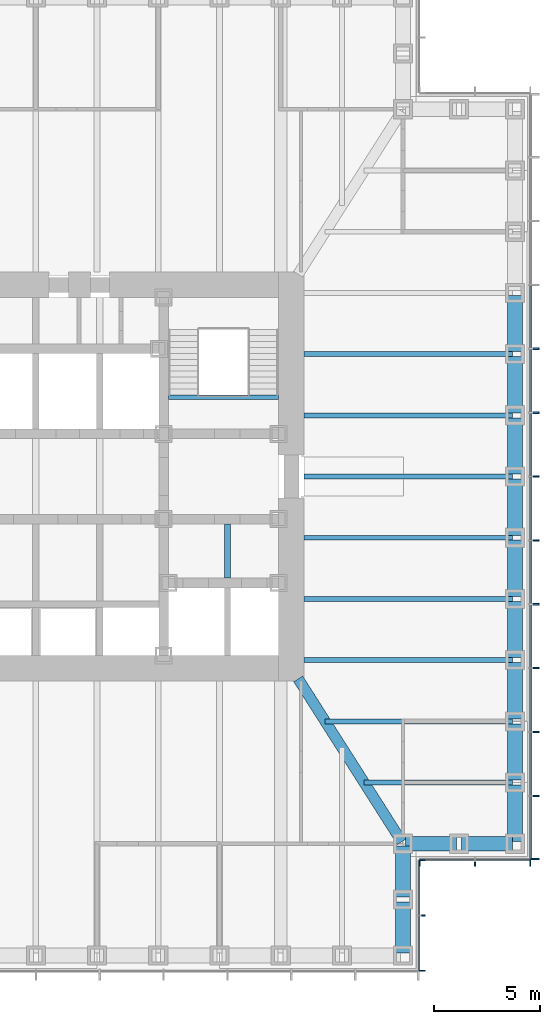
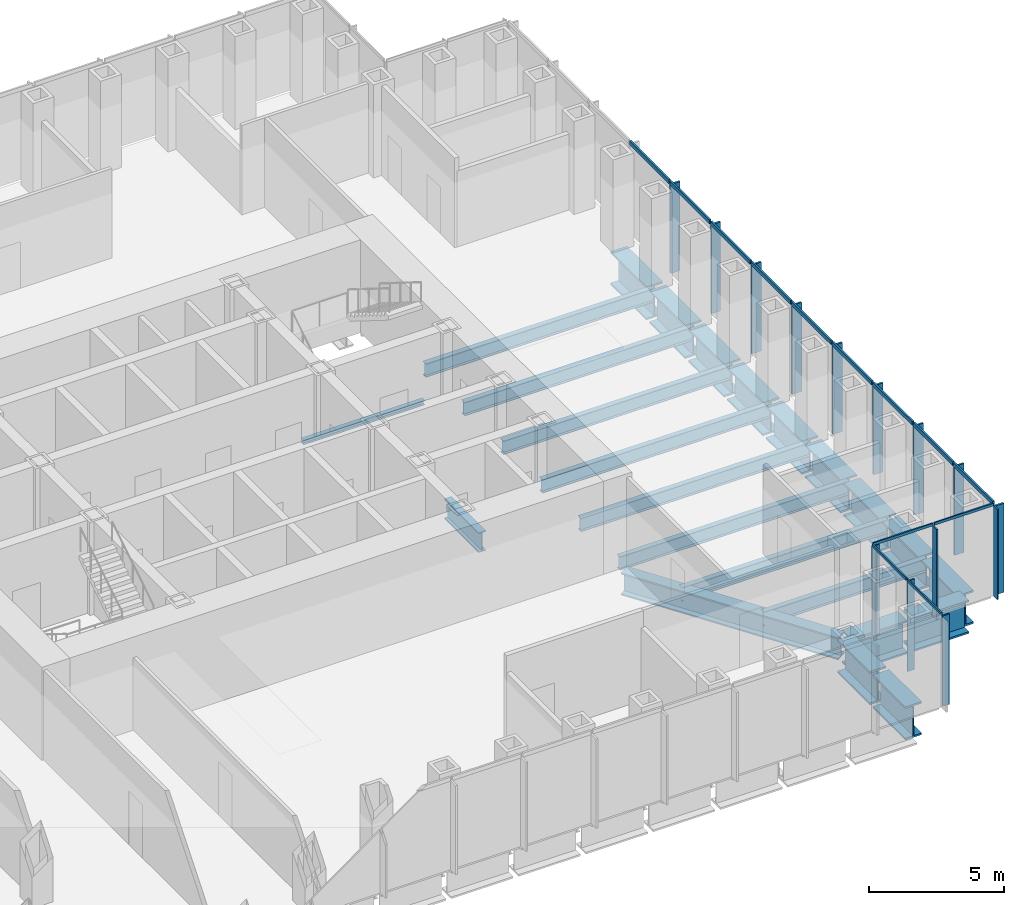
# One storey, part 4 of 17: 28 members, 24 beams, 3 elements without a shape of their own.
"""IFC4 building model written with IfcOpenShell, lengths in metres."""

from ifc_helpers import new_model, si_unit, direction, frame, origin, origin_2d, place, context, subcontext, project, spatial, rectangle, i_section, extrude, material, material_profile, profile_set, type_object, element, aggregate, save


model = new_model("IFC4")

# Units and contexts
model_context = context("Model", 3, precision=1e-05, world=origin(), true_north=direction((0.0, 1.0)))
body_context = subcontext(model_context, "Body", "Model", "MODEL_VIEW")
ifc_project = project(units=[si_unit("LENGTHUNIT", "METRE"), si_unit("AREAUNIT", "SQUARE_METRE"), si_unit("VOLUMEUNIT", "CUBIC_METRE"), si_unit("PLANEANGLEUNIT", "RADIAN"), si_unit("MASSUNIT", "GRAM", prefix="KILO")], contexts=[model_context])

# Site, building, storey
site_placement = place(None, origin())
site = spatial("IfcSite", under=ifc_project, at=site_placement, CompositionType="ELEMENT")
building_placement = place(site_placement, origin())
building = spatial("IfcBuilding", under=site, at=building_placement, Name="Daluyong Arena Tower", CompositionType="ELEMENT")
storey_placement = place(building_placement, frame((0.0, 0.0, 129.10009765625)))
storey = spatial("IfcBuildingStorey", under=building, at=storey_placement, Name="L28", CompositionType="ELEMENT", Elevation=129.10009765625)

# Curtain wall, members
ifc_material_1 = material(Name="Bronze anodised aluminium and glass", Category="aluminium")
curtain_wall_type_1 = type_object("IfcCurtainWallType", Name="Curtain wall CW2", PredefinedType="USERDEFINED", material=ifc_material_1)
curtain_wall_1_placement = place(storey_placement, origin())
curtain_wall_1 = element("IfcCurtainWall", 1, at=curtain_wall_1_placement, inside=storey, type_object=curtain_wall_type_1, Name="curtain wall L28 E", ObjectType="UNITISED CURTAIN WALL", PredefinedType="USERDEFINED")
ifc_material_2 = material(Name="Bronze anodised aluminium fin", Category="aluminium")
ifc_material_profile_1 = material_profile(ifc_material_2, rectangle(XDim=0.39990234375, YDim=0.080078125, at=origin_2d()))
ifc_profile_set_1 = profile_set([ifc_material_profile_1], Name="Bronze anodised aluminium fin")
member_type_1 = type_object("IfcMemberType", Name="CW2 bronze fin 400x80", PredefinedType="MULLION", material=ifc_profile_set_1)
member_1_placement = place(storey_placement, frame((79.449951171875, 62.0400390625, 0.0), z_axis=(0.0, 0.0, 1.0), x_axis=(-1.0, 0.0, 0.0)))
member_1 = element("IfcMember", 2, at=member_1_placement, type_object=member_type_1, Name="curtain wall L28 E fin 1", PredefinedType="MULLION", context=body_context, shape_type="SweptSolid", body=[
    extrude(rectangle(XDim=0.39990234375, YDim=0.080078125, at=origin_2d()), origin(), (0.0, 0.0, 1.0), 4.02001953125),
])
member_2_placement = place(storey_placement, frame((79.449951171875, 65.0, 0.0), z_axis=(0.0, 0.0, 1.0), x_axis=(-1.0, 0.0, 0.0)))
member_2 = element("IfcMember", 3, at=member_2_placement, type_object=member_type_1, Name="curtain wall L28 E fin 2", PredefinedType="MULLION", context=body_context, shape_type="SweptSolid", body=[
    extrude(rectangle(XDim=0.39990234375, YDim=0.080078125, at=origin_2d()), origin(), (0.0, 0.0, 1.0), 4.02001953125),
])
member_3_placement = place(storey_placement, frame((79.449951171875, 68.0, 0.0), z_axis=(0.0, 0.0, 1.0), x_axis=(-1.0, 0.0, 0.0)))
member_3 = element("IfcMember", 4, at=member_3_placement, type_object=member_type_1, Name="curtain wall L28 E fin 3", PredefinedType="MULLION", context=body_context, shape_type="SweptSolid", body=[
    extrude(rectangle(XDim=0.39990234375, YDim=0.080078125, at=origin_2d()), origin(), (0.0, 0.0, 1.0), 4.02001953125),
])
member_4_placement = place(storey_placement, frame((79.449951171875, 71.0, 0.0), z_axis=(0.0, 0.0, 1.0), x_axis=(-1.0, 0.0, 0.0)))
member_4 = element("IfcMember", 5, at=member_4_placement, type_object=member_type_1, Name="curtain wall L28 E fin 4", PredefinedType="MULLION", context=body_context, shape_type="SweptSolid", body=[
    extrude(rectangle(XDim=0.39990234375, YDim=0.080078125, at=origin_2d()), origin(), (0.0, 0.0, 1.0), 4.02001953125),
])
member_5_placement = place(storey_placement, frame((79.449951171875, 74.0, 0.0), z_axis=(0.0, 0.0, 1.0), x_axis=(-1.0, 0.0, 0.0)))
member_5 = element("IfcMember", 6, at=member_5_placement, type_object=member_type_1, Name="curtain wall L28 E fin 5", PredefinedType="MULLION", context=body_context, shape_type="SweptSolid", body=[
    extrude(rectangle(XDim=0.39990234375, YDim=0.080078125, at=origin_2d()), origin(), (0.0, 0.0, 1.0), 4.02001953125),
])
member_6_placement = place(storey_placement, frame((79.449951171875, 77.0, 0.0), z_axis=(0.0, 0.0, 1.0), x_axis=(-1.0, 0.0, 0.0)))
member_6 = element("IfcMember", 7, at=member_6_placement, type_object=member_type_1, Name="curtain wall L28 E fin 6", PredefinedType="MULLION", context=body_context, shape_type="SweptSolid", body=[
    extrude(rectangle(XDim=0.39990234375, YDim=0.080078125, at=origin_2d()), origin(), (0.0, 0.0, 1.0), 4.02001953125),
])
member_7_placement = place(storey_placement, frame((79.449951171875, 80.0, 0.0), z_axis=(0.0, 0.0, 1.0), x_axis=(-1.0, 0.0, 0.0)))
member_7 = element("IfcMember", 8, at=member_7_placement, type_object=member_type_1, Name="curtain wall L28 E fin 7", PredefinedType="MULLION", context=body_context, shape_type="SweptSolid", body=[
    extrude(rectangle(XDim=0.39990234375, YDim=0.080078125, at=origin_2d()), origin(), (0.0, 0.0, 1.0), 4.02001953125),
])
member_8_placement = place(storey_placement, frame((79.449951171875, 83.0, 0.0), z_axis=(0.0, 0.0, 1.0), x_axis=(-1.0, 0.0, 0.0)))
member_8 = element("IfcMember", 9, at=member_8_placement, type_object=member_type_1, Name="curtain wall L28 E fin 8", PredefinedType="MULLION", context=body_context, shape_type="SweptSolid", body=[
    extrude(rectangle(XDim=0.39990234375, YDim=0.080078125, at=origin_2d()), origin(), (0.0, 0.0, 1.0), 4.02001953125),
])
member_9_placement = place(storey_placement, frame((79.449951171875, 86.0, 0.0), z_axis=(0.0, 0.0, 1.0), x_axis=(-1.0, 0.0, 0.0)))
member_9 = element("IfcMember", 10, at=member_9_placement, type_object=member_type_1, Name="curtain wall L28 E fin 9", PredefinedType="MULLION", context=body_context, shape_type="SweptSolid", body=[
    extrude(rectangle(XDim=0.39990234375, YDim=0.080078125, at=origin_2d()), origin(), (0.0, 0.0, 1.0), 4.02001953125),
])
ifc_material_3 = material(Name="Bronze anodised aluminium", Category="aluminium")
ifc_material_profile_2 = material_profile(ifc_material_3, rectangle(XDim=0.080078125, YDim=0.179931640625, at=origin_2d()))
ifc_profile_set_2 = profile_set([ifc_material_profile_2], Name="Bronze anodised aluminium")
member_type_2 = type_object("IfcMemberType", Name="CW2 stack transom 180x80", PredefinedType="USERDEFINED", material=ifc_profile_set_2)
member_10_placement = place(storey_placement, frame((79.25, 62.080078125, 4.10986328125), z_axis=(0.0, 1.0, 0.0), x_axis=(-1.0, 0.0, 0.0)))
member_10 = element("IfcMember", 11, at=member_10_placement, type_object=member_type_2, Name="curtain wall L28 E transom 1", ObjectType="TRANSOM", PredefinedType="USERDEFINED", context=body_context, shape_type="SweptSolid", body=[
    extrude(rectangle(XDim=0.080078125, YDim=0.179931640625, at=origin_2d()), origin(), (0.0, 0.0, 1.0), 2.8798828125),
])
member_11_placement = place(storey_placement, frame((79.25, 65.0400390625, 4.10986328125), z_axis=(0.0, 1.0, 0.0), x_axis=(-1.0, 0.0, 0.0)))
member_11 = element("IfcMember", 12, at=member_11_placement, type_object=member_type_2, Name="curtain wall L28 E transom 2", ObjectType="TRANSOM", PredefinedType="USERDEFINED", context=body_context, shape_type="SweptSolid", body=[
    extrude(rectangle(XDim=0.080078125, YDim=0.179931640625, at=origin_2d()), origin(), (0.0, 0.0, 1.0), 2.919921875),
])
member_12_placement = place(storey_placement, frame((79.25, 68.0400390625, 4.10986328125), z_axis=(0.0, 1.0, 0.0), x_axis=(-1.0, 0.0, 0.0)))
member_12 = element("IfcMember", 13, at=member_12_placement, type_object=member_type_2, Name="curtain wall L28 E transom 3", ObjectType="TRANSOM", PredefinedType="USERDEFINED", context=body_context, shape_type="SweptSolid", body=[
    extrude(rectangle(XDim=0.080078125, YDim=0.179931640625, at=origin_2d()), origin(), (0.0, 0.0, 1.0), 2.919921875),
])
member_13_placement = place(storey_placement, frame((79.25, 71.0400390625, 4.10986328125), z_axis=(0.0, 1.0, 0.0), x_axis=(-1.0, 0.0, 0.0)))
member_13 = element("IfcMember", 14, at=member_13_placement, type_object=member_type_2, Name="curtain wall L28 E transom 4", ObjectType="TRANSOM", PredefinedType="USERDEFINED", context=body_context, shape_type="SweptSolid", body=[
    extrude(rectangle(XDim=0.080078125, YDim=0.179931640625, at=origin_2d()), origin(), (0.0, 0.0, 1.0), 2.919921875),
])
member_14_placement = place(storey_placement, frame((79.25, 74.0400390625, 4.10986328125), z_axis=(0.0, 1.0, 0.0), x_axis=(-1.0, 0.0, 0.0)))
member_14 = element("IfcMember", 15, at=member_14_placement, type_object=member_type_2, Name="curtain wall L28 E transom 5", ObjectType="TRANSOM", PredefinedType="USERDEFINED", context=body_context, shape_type="SweptSolid", body=[
    extrude(rectangle(XDim=0.080078125, YDim=0.179931640625, at=origin_2d()), origin(), (0.0, 0.0, 1.0), 2.919921875),
])
member_15_placement = place(storey_placement, frame((79.25, 77.0400390625, 4.10986328125), z_axis=(0.0, 1.0, 0.0), x_axis=(-1.0, 0.0, 0.0)))
member_15 = element("IfcMember", 16, at=member_15_placement, type_object=member_type_2, Name="curtain wall L28 E transom 6", ObjectType="TRANSOM", PredefinedType="USERDEFINED", context=body_context, shape_type="SweptSolid", body=[
    extrude(rectangle(XDim=0.080078125, YDim=0.179931640625, at=origin_2d()), origin(), (0.0, 0.0, 1.0), 2.919921875),
])
member_16_placement = place(storey_placement, frame((79.25, 80.0400390625, 4.10986328125), z_axis=(0.0, 1.0, 0.0), x_axis=(-1.0, 0.0, 0.0)))
member_16 = element("IfcMember", 17, at=member_16_placement, type_object=member_type_2, Name="curtain wall L28 E transom 7", ObjectType="TRANSOM", PredefinedType="USERDEFINED", context=body_context, shape_type="SweptSolid", body=[
    extrude(rectangle(XDim=0.080078125, YDim=0.179931640625, at=origin_2d()), origin(), (0.0, 0.0, 1.0), 2.919921875),
])
member_17_placement = place(storey_placement, frame((79.25, 83.0400390625, 4.10986328125), z_axis=(0.0, 1.0, 0.0), x_axis=(-1.0, 0.0, 0.0)))
member_17 = element("IfcMember", 18, at=member_17_placement, type_object=member_type_2, Name="curtain wall L28 E transom 8", ObjectType="TRANSOM", PredefinedType="USERDEFINED", context=body_context, shape_type="SweptSolid", body=[
    extrude(rectangle(XDim=0.080078125, YDim=0.179931640625, at=origin_2d()), origin(), (0.0, 0.0, 1.0), 2.919921875),
])
member_18_placement = place(storey_placement, frame((79.25, 86.0400390625, 4.10986328125), z_axis=(0.0, 1.0, 0.0), x_axis=(-1.0, 0.0, 0.0)))
member_18 = element("IfcMember", 19, at=member_18_placement, type_object=member_type_2, Name="curtain wall L28 E transom 9", ObjectType="TRANSOM", PredefinedType="USERDEFINED", context=body_context, shape_type="SweptSolid", body=[
    extrude(rectangle(XDim=0.080078125, YDim=0.179931640625, at=origin_2d()), origin(), (0.0, 0.0, 1.0), 2.919921875),
])
aggregate(curtain_wall_1, [member_1, member_2, member_3, member_4, member_5, member_6, member_7, member_8, member_9, member_10, member_11, member_12, member_13, member_14, member_15, member_16, member_17, member_18])

ifc_material_4 = material(Name="Bronze anodised aluminium and glass", Category="aluminium")
curtain_wall_type_2 = type_object("IfcCurtainWallType", Name="Curtain wall CW7", PredefinedType="USERDEFINED", material=ifc_material_4)
curtain_wall_2_placement = place(storey_placement, origin())
curtain_wall_2 = element("IfcCurtainWall", 20, at=curtain_wall_2_placement, inside=storey, type_object=curtain_wall_type_2, Name="curtain wall L28 SE-E", ObjectType="UNITISED CURTAIN WALL", PredefinedType="USERDEFINED")
ifc_material_5 = material(Name="Bronze anodised aluminium fin", Category="aluminium")
ifc_material_profile_3 = material_profile(ifc_material_5, rectangle(XDim=0.300048828125, YDim=0.06005859375, at=origin_2d()))
ifc_profile_set_3 = profile_set([ifc_material_profile_3], Name="Bronze anodised aluminium fin")
member_type_3 = type_object("IfcMemberType", Name="CW7 bronze fin 300x60", PredefinedType="MULLION", material=ifc_profile_set_3)
member_19_placement = place(storey_placement, frame((74.14990234375, 56.780029296875, 0.0), z_axis=(0.0, 0.0, 1.0), x_axis=(-1.0, 0.0, 0.0)))
member_19 = element("IfcMember", 21, at=member_19_placement, type_object=member_type_3, Name="curtain wall L28 SE-E fin 1", PredefinedType="MULLION", context=body_context, shape_type="SweptSolid", body=[
    extrude(rectangle(XDim=0.300048828125, YDim=0.06005859375, at=origin_2d()), origin(), (0.0, 0.0, 1.0), 4.079833984375),
])
member_20_placement = place(storey_placement, frame((74.14990234375, 59.375, 0.0), z_axis=(0.0, 0.0, 1.0), x_axis=(-1.0, 0.0, 0.0)))
member_20 = element("IfcMember", 22, at=member_20_placement, type_object=member_type_3, Name="curtain wall L28 SE-E fin 2", PredefinedType="MULLION", context=body_context, shape_type="SweptSolid", body=[
    extrude(rectangle(XDim=0.300048828125, YDim=0.06005859375, at=origin_2d()), origin(), (0.0, 0.0, 1.0), 4.079833984375),
])
member_21_placement = place(storey_placement, frame((74.14990234375, 61.969970703125, 0.0), z_axis=(0.0, 0.0, 1.0), x_axis=(-1.0, 0.0, 0.0)))
member_21 = element("IfcMember", 23, at=member_21_placement, type_object=member_type_3, Name="curtain wall L28 SE-E fin 3", PredefinedType="MULLION", context=body_context, shape_type="SweptSolid", body=[
    extrude(rectangle(XDim=0.300048828125, YDim=0.06005859375, at=origin_2d()), origin(), (0.0, 0.0, 1.0), 4.079833984375),
])

curtain_wall_3_placement = place(storey_placement, origin())
curtain_wall_3 = element("IfcCurtainWall", 24, at=curtain_wall_3_placement, inside=storey, type_object=curtain_wall_type_2, Name="curtain wall L28 SE-S", ObjectType="UNITISED CURTAIN WALL", PredefinedType="USERDEFINED")
member_22_placement = place(storey_placement, frame((74.030029296875, 61.85009765625, 0.0), z_axis=(0.0, 0.0, 1.0), x_axis=(0.0, 1.0, 0.0)))
member_22 = element("IfcMember", 25, at=member_22_placement, type_object=member_type_3, Name="curtain wall L28 SE-S fin 1", PredefinedType="MULLION", context=body_context, shape_type="SweptSolid", body=[
    extrude(rectangle(XDim=0.300048828125, YDim=0.06005859375, at=origin_2d()), origin(), (0.0, 0.0, 1.0), 4.079833984375),
])
member_23_placement = place(storey_placement, frame((76.625, 61.85009765625, 0.0), z_axis=(0.0, 0.0, 1.0), x_axis=(0.0, 1.0, 0.0)))
member_23 = element("IfcMember", 26, at=member_23_placement, type_object=member_type_3, Name="curtain wall L28 SE-S fin 2", PredefinedType="MULLION", context=body_context, shape_type="SweptSolid", body=[
    extrude(rectangle(XDim=0.300048828125, YDim=0.06005859375, at=origin_2d()), origin(), (0.0, 0.0, 1.0), 4.079833984375),
])
member_24_placement = place(storey_placement, frame((79.219970703125, 61.85009765625, 0.0), z_axis=(0.0, 0.0, 1.0), x_axis=(0.0, 1.0, 0.0)))
member_24 = element("IfcMember", 27, at=member_24_placement, type_object=member_type_3, Name="curtain wall L28 SE-S fin 3", PredefinedType="MULLION", context=body_context, shape_type="SweptSolid", body=[
    extrude(rectangle(XDim=0.300048828125, YDim=0.06005859375, at=origin_2d()), origin(), (0.0, 0.0, 1.0), 4.079833984375),
])

# Member
ifc_material_6 = material(Name="Bronze anodised aluminium", Category="aluminium")
ifc_material_profile_4 = material_profile(ifc_material_6, rectangle(XDim=0.06005859375, YDim=0.1201171875, at=origin_2d()))
ifc_profile_set_4 = profile_set([ifc_material_profile_4], Name="Bronze anodised aluminium")
member_type_4 = type_object("IfcMemberType", Name="CW7 stack transom 120x60", PredefinedType="USERDEFINED", material=ifc_profile_set_4)
member_25_placement = place(storey_placement, frame((74.0, 56.81005859375, 4.139892578125), z_axis=(0.0, 1.0, 0.0), x_axis=(-1.0, 0.0, 0.0)))
member_25 = element("IfcMember", 28, at=member_25_placement, type_object=member_type_4, Name="curtain wall L28 SE-E transom 1", ObjectType="TRANSOM", PredefinedType="USERDEFINED", context=body_context, shape_type="SweptSolid", body=[
    extrude(rectangle(XDim=0.06005859375, YDim=0.1201171875, at=origin_2d()), origin(), (0.0, 0.0, 1.0), 2.534912109375),
])

member_26_placement = place(storey_placement, frame((74.0, 59.405029296875, 4.139892578125), z_axis=(0.0, 1.0, 0.0), x_axis=(-1.0, 0.0, 0.0)))
member_26 = element("IfcMember", 29, at=member_26_placement, type_object=member_type_4, Name="curtain wall L28 SE-E transom 2", ObjectType="TRANSOM", PredefinedType="USERDEFINED", context=body_context, shape_type="SweptSolid", body=[
    extrude(rectangle(XDim=0.06005859375, YDim=0.1201171875, at=origin_2d()), origin(), (0.0, 0.0, 1.0), 2.534912109375),
])

aggregate(curtain_wall_2, [member_19, member_20, member_21, member_25, member_26])

member_27_placement = place(storey_placement, frame((74.06005859375, 62.0, 4.139892578125), z_axis=(1.0, 0.0, 0.0), x_axis=(0.0, 1.0, 0.0)))
member_27 = element("IfcMember", 30, at=member_27_placement, type_object=member_type_4, Name="curtain wall L28 SE-S transom 1", ObjectType="TRANSOM", PredefinedType="USERDEFINED", context=body_context, shape_type="SweptSolid", body=[
    extrude(rectangle(XDim=0.06005859375, YDim=0.1201171875, at=origin_2d()), origin(), (0.0, 0.0, 1.0), 2.534912109375),
])

member_28_placement = place(storey_placement, frame((76.655029296875, 62.0, 4.139892578125), z_axis=(1.0, 0.0, 0.0), x_axis=(0.0, 1.0, 0.0)))
member_28 = element("IfcMember", 31, at=member_28_placement, type_object=member_type_4, Name="curtain wall L28 SE-S transom 2", ObjectType="TRANSOM", PredefinedType="USERDEFINED", context=body_context, shape_type="SweptSolid", body=[
    extrude(rectangle(XDim=0.06005859375, YDim=0.1201171875, at=origin_2d()), origin(), (0.0, 0.0, 1.0), 2.534912109375),
])

aggregate(curtain_wall_3, [member_22, member_23, member_24, member_27, member_28])

# Beams
ifc_material_7 = material(Name="Steel ASTM A572 Grade 50", Category="steel")
ifc_material_profile_5 = material_profile(ifc_material_7, i_section(OverallWidth=0.5, OverallDepth=1.0, WebThickness=0.03, FlangeThickness=0.06, at=origin_2d()))
ifc_profile_set_5 = profile_set([ifc_material_profile_5], Name="Steel ASTM A572 Grade 50")
beam_type_1 = type_object("IfcBeamType", Name="Corner girder TB1000X500", PredefinedType="BEAM", material=ifc_profile_set_5)
beam_1_placement = place(storey_placement, frame((73.188232421875, 62.846923828125, -0.66015625), z_axis=(-0.536872006459, 0.843663705916, 0.0), x_axis=(-0.843663705916, -0.536872006459, 0.0)))
element("IfcBeam", 32, at=beam_1_placement, inside=storey, type_object=beam_type_1, Name="corner girder DG2", PredefinedType="BEAM", context=body_context, shape_type="SweptSolid", body=[
    extrude(i_section(OverallWidth=0.5, OverallDepth=1.0, WebThickness=0.03, FlangeThickness=0.06, at=origin_2d()), origin(), (0.0, 0.0, 1.0), 9.06396484375),
])
ifc_material_8 = material(Name="Steel ASTM A992 Grade 50", Category="steel")
ifc_material_profile_6 = material_profile(ifc_material_8, i_section(OverallWidth=0.22900390625, OverallDepth=0.612060546875, WebThickness=0.011962890625, FlangeThickness=0.01953125, at=origin_2d()))
ifc_profile_set_6 = profile_set([ifc_material_profile_6], Name="Steel ASTM A992 Grade 50")
beam_type_2 = type_object("IfcBeamType", Name="Floor beam W24X84", PredefinedType="BEAM", material=ifc_profile_set_6)
beam_2_placement = place(storey_placement, frame((78.385009765625, 65.625, -0.466064453125), z_axis=(-1.0, 0.0, 0.0), x_axis=(0.0, -1.0, 0.0)))
element("IfcBeam", 33, at=beam_2_placement, inside=storey, type_object=beam_type_2, Name="floor beam FB3", PredefinedType="BEAM", context=body_context, shape_type="SweptSolid", body=[
    extrude(i_section(OverallWidth=0.22900390625, OverallDepth=0.612060546875, WebThickness=0.011962890625, FlangeThickness=0.01953125, at=origin_2d()), origin(), (0.0, 0.0, 1.0), 6.964599609375),
])
beam_3_placement = place(storey_placement, frame((78.385009765625, 68.5, -0.466064453125), z_axis=(-1.0, 0.0, 0.0), x_axis=(0.0, -1.0, 0.0)))
element("IfcBeam", 34, at=beam_3_placement, inside=storey, type_object=beam_type_2, Name="floor beam FB3", PredefinedType="BEAM", context=body_context, shape_type="SweptSolid", body=[
    extrude(i_section(OverallWidth=0.22900390625, OverallDepth=0.612060546875, WebThickness=0.011962890625, FlangeThickness=0.01953125, at=origin_2d()), origin(), (0.0, 0.0, 1.0), 8.794189453125),
])
for number, where, z_axis, x_axis, name in (
    (35, (78.385009765625, 71.375, -0.466064453125), (-1.0, 0.0, 0.0), (0.0, -1.0, 0.0), "floor beam FB3"),
    (36, (78.385009765625, 74.25, -0.466064453125), (-1.0, 0.0, 0.0), (0.0, -1.0, 0.0), "floor beam FB3"),
    (37, (78.385009765625, 77.125, -0.466064453125), (-1.0, 0.0, 0.0), (0.0, -1.0, 0.0), "floor beam FB3"),
    (38, (78.385009765625, 80.0, -0.466064453125), (-1.0, 0.0, 0.0), (0.0, -1.0, 0.0), "floor beam FB3"),
    (39, (78.385009765625, 82.875, -0.466064453125), (-1.0, 0.0, 0.0), (0.0, -1.0, 0.0), "floor beam FB3"),
    (40, (78.385009765625, 85.75, -0.466064453125), (-1.0, 0.0, 0.0), (0.0, -1.0, 0.0), "floor beam FB3"),
):
    element("IfcBeam", number, at=place(storey_placement, frame(where, z_axis=z_axis, x_axis=x_axis)), inside=storey, type_object=beam_type_2, Name=name, PredefinedType="BEAM", context=body_context, shape_type="SweptSolid", body=[
        extrude(i_section(OverallWidth=0.22900390625, OverallDepth=0.612060546875, WebThickness=0.011962890625, FlangeThickness=0.01953125, at=origin_2d()), origin(), (0.0, 0.0, 1.0), 9.784912109375),
    ])
ifc_material_9 = material(Name="Steel ASTM A572 Grade 50", Category="steel")
ifc_material_profile_7 = material_profile(ifc_material_9, i_section(OverallWidth=0.300048828125, OverallDepth=0.89990234375, WebThickness=0.025, FlangeThickness=0.04, at=origin_2d()))
ifc_profile_set_7 = profile_set([ifc_material_profile_7], Name="Steel ASTM A572 Grade 50")
beam_type_3 = type_object("IfcBeamType", Name="Lift divider beam PG900X300", PredefinedType="BEAM", material=ifc_profile_set_7)
beam_4_placement = place(storey_placement, frame((65.0, 75.22509765625, -0.610107421875), z_axis=(0.0, 1.0, 0.0), x_axis=(-1.0, 0.0, 0.0)))
element("IfcBeam", 41, at=beam_4_placement, inside=storey, type_object=beam_type_3, Name="lift divider beam DB1", PredefinedType="BEAM", context=body_context, shape_type="SweptSolid", body=[
    extrude(i_section(OverallWidth=0.300048828125, OverallDepth=0.89990234375, WebThickness=0.025, FlangeThickness=0.04, at=origin_2d()), origin(), (0.0, 0.0, 1.0), 2.5498046875),
])
ifc_material_10 = material(Name="Steel ASTM A572 Grade 50", Category="steel")
ifc_material_profile_8 = material_profile(ifc_material_10, i_section(OverallWidth=0.699951171875, OverallDepth=1.5, WebThickness=0.04, FlangeThickness=0.08, at=origin_2d()))
ifc_profile_set_8 = profile_set([ifc_material_profile_8], Name="Steel ASTM A572 Grade 50")
beam_type_4 = type_object("IfcBeamType", Name="Spandrel Z2 PG1500X700", PredefinedType="SPANDREL", material=ifc_profile_set_8)
for number, where, z_axis, x_axis, name in (
    (42, (73.25, 57.614990234375, -0.91015625), (0.0, 1.0, 0.0), (-1.0, 0.0, 0.0), "spandrel z2 SB6"),
    (43, (73.25, 60.239990234375, -0.91015625), (0.0, 1.0, 0.0), (-1.0, 0.0, 0.0), "spandrel z2 SB6"),
    (44, (73.364990234375, 62.75, -0.91015625), (1.0, 0.0, 0.0), (0.0, 1.0, 0.0), "spandrel z2 SB6"),
    (45, (75.989990234375, 62.75, -0.91015625), (1.0, 0.0, 0.0), (0.0, 1.0, 0.0), "spandrel z2 SB6"),
):
    element("IfcBeam", number, at=place(storey_placement, frame(where, z_axis=z_axis, x_axis=x_axis)), inside=storey, type_object=beam_type_4, Name=name, PredefinedType="SPANDREL", context=body_context, shape_type="SweptSolid", body=[
        extrude(i_section(OverallWidth=0.699951171875, OverallDepth=1.5, WebThickness=0.04, FlangeThickness=0.08, at=origin_2d()), origin(), (0.0, 0.0, 1.0), 2.39501953125),
    ])
for number, where, z_axis, x_axis, name in (
    (46, (78.5, 62.864990234375, -0.91015625), (0.0, 1.0, 0.0), (-1.0, 0.0, 0.0), "spandrel z2 SB6"),
    (47, (78.5, 65.739990234375, -0.91015625), (0.0, 1.0, 0.0), (-1.0, 0.0, 0.0), "spandrel z2 SB6"),
    (48, (78.5, 68.614990234375, -0.91015625), (0.0, 1.0, 0.0), (-1.0, 0.0, 0.0), "spandrel z2 SB6"),
    (49, (78.5, 71.489990234375, -0.91015625), (0.0, 1.0, 0.0), (-1.0, 0.0, 0.0), "spandrel z2 SB6"),
    (50, (78.5, 74.364990234375, -0.91015625), (0.0, 1.0, 0.0), (-1.0, 0.0, 0.0), "spandrel z2 SB6"),
    (51, (78.5, 77.239990234375, -0.91015625), (0.0, 1.0, 0.0), (-1.0, 0.0, 0.0), "spandrel z2 SB6"),
    (52, (78.5, 80.114990234375, -0.91015625), (0.0, 1.0, 0.0), (-1.0, 0.0, 0.0), "spandrel z2 SB6"),
    (53, (78.5, 82.989990234375, -0.91015625), (0.0, 1.0, 0.0), (-1.0, 0.0, 0.0), "spandrel z2 SB6"),
    (54, (78.5, 85.864990234375, -0.91015625), (0.0, 1.0, 0.0), (-1.0, 0.0, 0.0), "spandrel z2 SB6"),
):
    element("IfcBeam", number, at=place(storey_placement, frame(where, z_axis=z_axis, x_axis=x_axis)), inside=storey, type_object=beam_type_4, Name=name, PredefinedType="SPANDREL", context=body_context, shape_type="SweptSolid", body=[
        extrude(i_section(OverallWidth=0.699951171875, OverallDepth=1.5, WebThickness=0.04, FlangeThickness=0.08, at=origin_2d()), origin(), (0.0, 0.0, 1.0), 2.64501953125),
    ])
ifc_material_11 = material(Name="Steel ASTM A992 Grade 50", Category="steel")
ifc_material_profile_9 = material_profile(ifc_material_11, i_section(OverallWidth=0.203125, OverallDepth=0.203125, WebThickness=0.00732421875, FlangeThickness=0.010986328125, at=origin_2d()))
ifc_profile_set_9 = profile_set([ifc_material_profile_9], Name="Steel ASTM A992 Grade 50")
beam_type_5 = type_object("IfcBeamType", Name="Stair landing beam W8X31", PredefinedType="BEAM", material=ifc_profile_set_9)
beam_5_placement = place(storey_placement, frame((62.22509765625, 83.723388671875, -0.26171875), z_axis=(1.0, 0.0, 0.0), x_axis=(0.0, 1.0, 0.0)))
element("IfcBeam", 55, at=beam_5_placement, inside=storey, type_object=beam_type_5, Name="exit stair B landing beam", PredefinedType="BEAM", context=body_context, shape_type="SweptSolid", body=[
    extrude(i_section(OverallWidth=0.203125, OverallDepth=0.203125, WebThickness=0.00732421875, FlangeThickness=0.010986328125, at=origin_2d()), origin(), (0.0, 0.0, 1.0), 5.1748046875),
])

save(model, "model.ifc")
